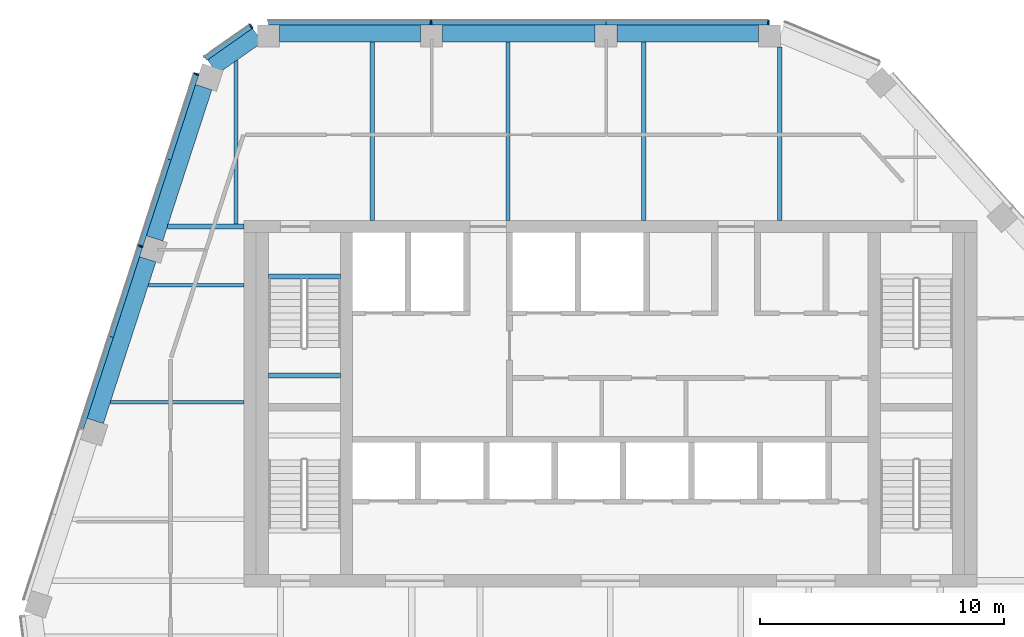
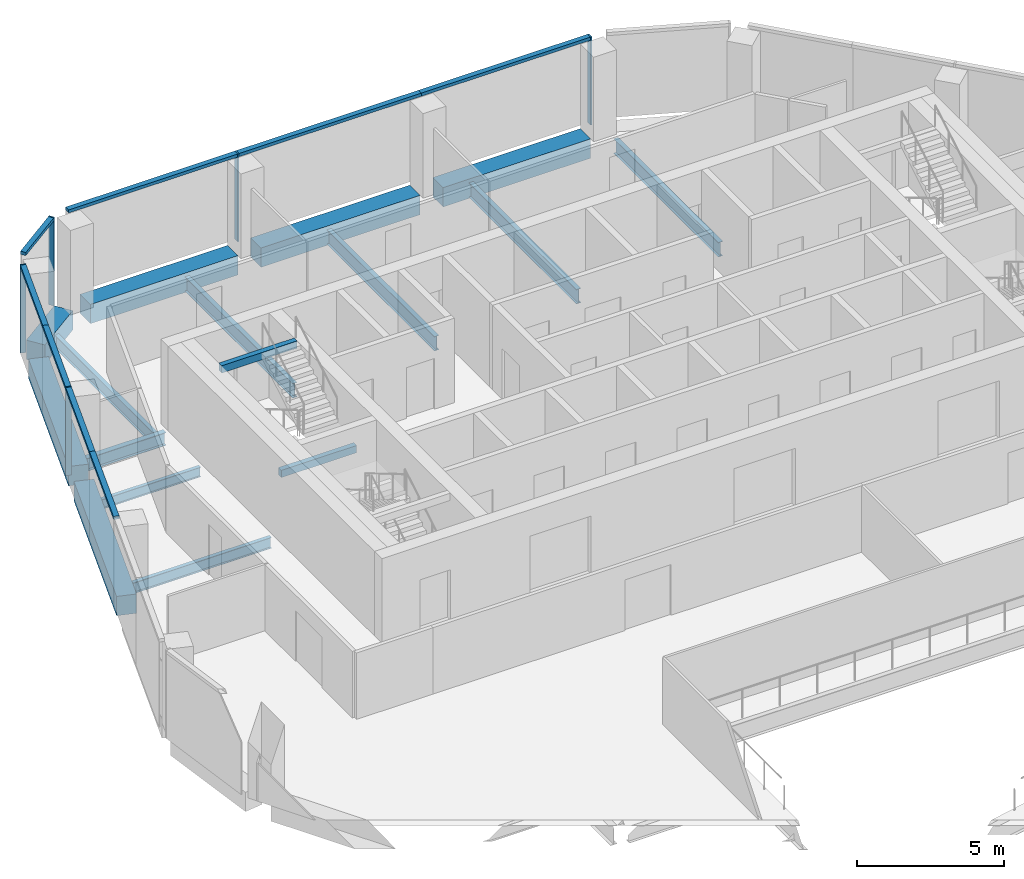
# One storey, part 5 of 15: 16 beams, 13 members, 3 elements without a shape of their own.
"""IFC4 building model written with IfcOpenShell, lengths in metres."""

from ifc_helpers import new_model, si_unit, direction, frame, origin, origin_2d, place, context, subcontext, project, spatial, rectangle, i_section, extrude, material, layer, layer_set, material_profile, profile_set, type_object, element, aggregate, save


model = new_model("IFC4")

# Units and contexts
model_context = context("Model", 3, precision=1e-05, world=origin(), true_north=direction((0.0, 1.0)))
body_context = subcontext(model_context, "Body", "Model", "MODEL_VIEW")
ifc_project = project(units=[si_unit("LENGTHUNIT", "METRE"), si_unit("AREAUNIT", "SQUARE_METRE"), si_unit("VOLUMEUNIT", "CUBIC_METRE"), si_unit("PLANEANGLEUNIT", "RADIAN"), si_unit("MASSUNIT", "GRAM", prefix="KILO")], contexts=[model_context])

# Site, building, storey
site_placement = place(None, origin())
site = spatial("IfcSite", under=ifc_project, at=site_placement, CompositionType="ELEMENT")
building_placement = place(site_placement, origin())
building = spatial("IfcBuilding", under=site, at=building_placement, Name="Isthmus Gate Tower", CompositionType="ELEMENT")
storey_placement = place(building_placement, frame((0.0, 0.0, 282.85009765625)))
storey = spatial("IfcBuildingStorey", under=building, at=storey_placement, Name="L72", CompositionType="ELEMENT", Elevation=282.85009765625)

# Curtain wall, members
ifc_material_1 = material(Name="Aluminium, pale champagne anodised", Category="aluminium")
ifc_layer = layer(ifc_material_1, 0.199951171875)
ifc_layer_set = layer_set([ifc_layer], Name="CW-1 UNITISED CURTAIN WALL 200 DEEP")
curtain_wall_type = type_object("IfcCurtainWallType", Name="CW-1 UNITISED CURTAIN WALL 200 DEEP", PredefinedType="NOTDEFINED", material=ifc_layer_set)
curtain_wall_1_placement = place(storey_placement, origin())
curtain_wall_1 = element("IfcCurtainWall", 1, at=curtain_wall_1_placement, inside=storey, type_object=curtain_wall_type, Name="CW-1 N L72", PredefinedType="NOTDEFINED")
ifc_material_2 = material(Name="Aluminium, pale champagne anodised", Category="aluminium")
ifc_material_profile_1 = material_profile(ifc_material_2, rectangle(XDim=0.06005859375, YDim=0.199951171875, at=origin_2d()), Name="60x200")
ifc_profile_set_1 = profile_set([ifc_material_profile_1], Name="Aluminium, pale champagne anodised")
member_type_1 = type_object("IfcMemberType", Name="CW-1 MULLION 60 X 200", PredefinedType="MULLION", material=ifc_profile_set_1)
member_1_placement = place(storey_placement, frame((6.4794921875, 23.10009765625, 0.0), z_axis=(0.0, 0.0, 1.0), x_axis=(-1.0, 0.0, 0.0)))
member_1 = element("IfcMember", 2, at=member_1_placement, type_object=member_type_1, Name="CW-1 mullion", PredefinedType="MULLION", context=body_context, shape_type="SweptSolid", body=[
    extrude(rectangle(XDim=0.06005859375, YDim=0.199951171875, at=origin_2d()), origin(), (0.0, 0.0, 1.0), 3.64990234375),
])
member_2_placement = place(storey_placement, frame((-7.339599609375, 23.10009765625, 0.0), z_axis=(0.0, 0.0, 1.0), x_axis=(-1.0, 0.0, 0.0)))
member_2 = element("IfcMember", 3, at=member_2_placement, type_object=member_type_1, Name="CW-1 mullion", PredefinedType="MULLION", context=body_context, shape_type="SweptSolid", body=[
    extrude(rectangle(XDim=0.06005859375, YDim=0.199951171875, at=origin_2d()), origin(), (0.0, 0.0, 1.0), 3.64990234375),
])

# Curtain wall, member
curtain_wall_2_placement = place(storey_placement, origin())
curtain_wall_2 = element("IfcCurtainWall", 4, at=curtain_wall_2_placement, inside=storey, type_object=curtain_wall_type, Name="CW-1 N-NW L72", PredefinedType="NOTDEFINED")
member_3_placement = place(storey_placement, frame((-14.69873046875, 22.943115234375, 0.0), z_axis=(0.0, 0.0, 1.0), x_axis=(-0.81785959165, -0.57541783805, 0.0)))
member_3 = element("IfcMember", 5, at=member_3_placement, type_object=member_type_1, Name="CW-1 mullion", PredefinedType="MULLION", context=body_context, shape_type="SweptSolid", body=[
    extrude(rectangle(XDim=0.06005859375, YDim=0.199951171875, at=origin_2d()), origin(), (0.0, 0.0, 1.0), 3.64990234375),
])

# Curtain wall, members
curtain_wall_3_placement = place(storey_placement, origin())
curtain_wall_3 = element("IfcCurtainWall", 6, at=curtain_wall_3_placement, inside=storey, type_object=curtain_wall_type, Name="CW-1 NW L72", PredefinedType="NOTDEFINED")
member_4_placement = place(storey_placement, frame((-16.9404296875, 20.9892578125, 0.0), z_axis=(0.0, 0.0, 1.0), x_axis=(-0.309016994375, -0.951056516295, 0.0)))
member_4 = element("IfcMember", 7, at=member_4_placement, type_object=member_type_1, Name="CW-1 mullion", PredefinedType="MULLION", context=body_context, shape_type="SweptSolid", body=[
    extrude(rectangle(XDim=0.06005859375, YDim=0.199951171875, at=origin_2d()), origin(), (0.0, 0.0, 1.0), 3.64990234375),
])
member_5_placement = place(storey_placement, frame((-19.229248046875, 13.945068359375, 0.0), z_axis=(0.0, 0.0, 1.0), x_axis=(-0.309016994375, -0.951056516295, 0.0)))
member_5 = element("IfcMember", 8, at=member_5_placement, type_object=member_type_1, Name="CW-1 mullion", PredefinedType="MULLION", context=body_context, shape_type="SweptSolid", body=[
    extrude(rectangle(XDim=0.06005859375, YDim=0.199951171875, at=origin_2d()), origin(), (0.0, 0.0, 1.0), 3.64990234375),
])

# Member
ifc_material_3 = material(Name="Aluminium, pale champagne anodised", Category="aluminium")
ifc_material_profile_2 = material_profile(ifc_material_3, rectangle(XDim=0.199951171875, YDim=0.1298828125, at=origin_2d()), Name="200x130")
ifc_profile_set_2 = profile_set([ifc_material_profile_2], Name="Aluminium, pale champagne anodised")
member_type_2 = type_object("IfcMemberType", Name="CW-1 TRANSOM 200 X 130", PredefinedType="USERDEFINED", material=ifc_profile_set_2)
member_6_placement = place(storey_placement, frame((6.449462890625, 23.10009765625, 3.5849609375), z_axis=(-1.0, 0.0, 0.0), x_axis=(0.0, -1.0, 0.0)))
member_6 = element("IfcMember", 9, at=member_6_placement, type_object=member_type_2, Name="CW-1 transom", ObjectType="TRANSOM", PredefinedType="USERDEFINED", context=body_context, shape_type="SweptSolid", body=[
    extrude(rectangle(XDim=0.199951171875, YDim=0.1298828125, at=origin_2d()), origin(), (0.0, 0.0, 1.0), 6.62451171875),
])

member_7_placement = place(storey_placement, frame((-0.175048828125, 23.10009765625, 3.5849609375), z_axis=(-1.0, 0.0, 0.0), x_axis=(0.0, -1.0, 0.0)))
member_7 = element("IfcMember", 10, at=member_7_placement, type_object=member_type_2, Name="CW-1 transom", ObjectType="TRANSOM", PredefinedType="USERDEFINED", context=body_context, shape_type="SweptSolid", body=[
    extrude(rectangle(XDim=0.199951171875, YDim=0.1298828125, at=origin_2d()), origin(), (0.0, 0.0, 1.0), 7.134521484375),
])

member_8_placement = place(storey_placement, frame((-7.36962890625, 23.10009765625, 3.5849609375), z_axis=(-1.0, 0.0, 0.0), x_axis=(0.0, -1.0, 0.0)))
member_8 = element("IfcMember", 11, at=member_8_placement, type_object=member_type_2, Name="CW-1 transom", ObjectType="TRANSOM", PredefinedType="USERDEFINED", context=body_context, shape_type="SweptSolid", body=[
    extrude(rectangle(XDim=0.199951171875, YDim=0.1298828125, at=origin_2d()), origin(), (0.0, 0.0, 1.0), 6.62451171875),
])

aggregate(curtain_wall_1, [member_1, member_6, member_7, member_2, member_8])

member_9_placement = place(storey_placement, frame((-14.723388671875, 22.92578125, 3.5849609375), z_axis=(-0.817868595604, -0.575405040233, 0.0), x_axis=(0.575405040233, -0.817868595604, 0.0)))
member_9 = element("IfcMember", 12, at=member_9_placement, type_object=member_type_2, Name="CW-1 transom", ObjectType="TRANSOM", PredefinedType="USERDEFINED", context=body_context, shape_type="SweptSolid", body=[
    extrude(rectangle(XDim=0.199951171875, YDim=0.1298828125, at=origin_2d()), origin(), (0.0, 0.0, 1.0), 2.258544921875),
])

aggregate(curtain_wall_2, [member_3, member_9])

member_10_placement = place(storey_placement, frame((-16.94970703125, 20.960693359375, 3.5849609375), z_axis=(-0.30904213216, -0.951048348166, 0.0), x_axis=(0.951048348166, -0.30904213216, 0.0)))
member_10 = element("IfcMember", 13, at=member_10_placement, type_object=member_type_2, Name="CW-1 transom", ObjectType="TRANSOM", PredefinedType="USERDEFINED", context=body_context, shape_type="SweptSolid", body=[
    extrude(rectangle(XDim=0.199951171875, YDim=0.1298828125, at=origin_2d()), origin(), (0.0, 0.0, 1.0), 3.6435546875),
])

member_11_placement = place(storey_placement, frame((-18.07568359375, 17.49560546875, 3.5849609375), z_axis=(-0.308999609488, -0.951062164812, 0.0), x_axis=(0.951062164812, -0.308999609488, 0.0)))
member_11 = element("IfcMember", 14, at=member_11_placement, type_object=member_type_2, Name="CW-1 transom", ObjectType="TRANSOM", PredefinedType="USERDEFINED", context=body_context, shape_type="SweptSolid", body=[
    extrude(rectangle(XDim=0.199951171875, YDim=0.1298828125, at=origin_2d()), origin(), (0.0, 0.0, 1.0), 3.703125),
])

member_12_placement = place(storey_placement, frame((-19.238525390625, 13.91650390625, 3.5849609375), z_axis=(-0.309061811928, -0.951041953022, 0.0), x_axis=(0.951041953022, -0.309061811928, 0.0)))
member_12 = element("IfcMember", 15, at=member_12_placement, type_object=member_type_2, Name="CW-1 transom", ObjectType="TRANSOM", PredefinedType="USERDEFINED", context=body_context, shape_type="SweptSolid", body=[
    extrude(rectangle(XDim=0.199951171875, YDim=0.1298828125, at=origin_2d()), origin(), (0.0, 0.0, 1.0), 3.868408203125),
])

member_13_placement = place(storey_placement, frame((-20.43408203125, 10.237548828125, 3.5849609375), z_axis=(-0.308984896154, -0.951066945041, 0.0), x_axis=(0.951066945041, -0.308984896154, 0.0)))
member_13 = element("IfcMember", 16, at=member_13_placement, type_object=member_type_2, Name="CW-1 transom", ObjectType="TRANSOM", PredefinedType="USERDEFINED", context=body_context, shape_type="SweptSolid", body=[
    extrude(rectangle(XDim=0.199951171875, YDim=0.1298828125, at=origin_2d()), origin(), (0.0, 0.0, 1.0), 3.928466796875),
])

aggregate(curtain_wall_3, [member_4, member_10, member_11, member_5, member_12, member_13])

# Beams
ifc_material_4 = material(Name="Concrete f'c 50 MPa", Category="concrete")
ifc_material_profile_3 = material_profile(ifc_material_4, rectangle(XDim=0.699951171875, YDim=0.800048828125, at=origin_2d()), Name="RC 700X800")
ifc_profile_set_3 = profile_set([ifc_material_profile_3], Name="Concrete f'c 50 MPa")
beam_type_1 = type_object("IfcBeamType", Name="RC SPANDREL 700 X 800", PredefinedType="SPANDREL", material=ifc_profile_set_3)
beam_1_placement = place(storey_placement, frame((-21.080810546875, 6.790283203125, -0.400146484375), z_axis=(0.309006716915, 0.951059855583, 0.0), x_axis=(-0.951059855583, 0.309006716915, 0.0)))
element("IfcBeam", 17, at=beam_1_placement, inside=storey, type_object=beam_type_1, Name="str-spandrel-L72-18", PredefinedType="SPANDREL", context=body_context, shape_type="SweptSolid", body=[
    extrude(rectangle(XDim=0.699951171875, YDim=0.800048828125, at=origin_2d()), origin(), (0.0, 0.0, 1.0), 6.956787109375),
])
beam_2_placement = place(storey_placement, frame((-18.653076171875, 14.262451171875, -0.400146484375), z_axis=(0.30901480678, 0.951057227085, 0.0), x_axis=(-0.951057227085, 0.30901480678, 0.0)))
element("IfcBeam", 18, at=beam_2_placement, inside=storey, type_object=beam_type_1, Name="str-spandrel-L72-19", PredefinedType="SPANDREL", context=body_context, shape_type="SweptSolid", body=[
    extrude(rectangle(XDim=0.699951171875, YDim=0.800048828125, at=origin_2d()), origin(), (0.0, 0.0, 1.0), 6.5068359375),
])
beam_3_placement = place(storey_placement, frame((-16.281005859375, 21.27978515625, -0.400146484375), z_axis=(0.817891678431, 0.57537222939, 0.0), x_axis=(-0.57537222939, 0.817891678431, 0.0)))
element("IfcBeam", 19, at=beam_3_placement, inside=storey, type_object=beam_type_1, Name="str-spandrel-L72-20", PredefinedType="SPANDREL", context=body_context, shape_type="SweptSolid", body=[
    extrude(rectangle(XDim=0.699951171875, YDim=0.800048828125, at=origin_2d()), origin(), (0.0, 0.0, 1.0), 2.245849609375),
])
beam_4_placement = place(storey_placement, frame((-13.544189453125, 22.64990234375, -0.400146484375), z_axis=(1.0, 0.0, 0.0), x_axis=(0.0, 1.0, 0.0)))
element("IfcBeam", 20, at=beam_4_placement, inside=storey, type_object=beam_type_1, Name="str-spandrel-L72-21", PredefinedType="SPANDREL", context=body_context, shape_type="SweptSolid", body=[
    extrude(rectangle(XDim=0.699951171875, YDim=0.800048828125, at=origin_2d()), origin(), (0.0, 0.0, 1.0), 5.78466796875),
])
beam_5_placement = place(storey_placement, frame((-6.859619140625, 22.64990234375, -0.400146484375), z_axis=(1.0, 0.0, 0.0), x_axis=(0.0, 1.0, 0.0)))
element("IfcBeam", 21, at=beam_5_placement, inside=storey, type_object=beam_type_1, Name="str-spandrel-L72-22", PredefinedType="SPANDREL", context=body_context, shape_type="SweptSolid", body=[
    extrude(rectangle(XDim=0.699951171875, YDim=0.800048828125, at=origin_2d()), origin(), (0.0, 0.0, 1.0), 6.234619140625),
])
beam_6_placement = place(storey_placement, frame((0.27490234375, 22.64990234375, -0.400146484375), z_axis=(1.0, 0.0, 0.0), x_axis=(0.0, 1.0, 0.0)))
element("IfcBeam", 22, at=beam_6_placement, inside=storey, type_object=beam_type_1, Name="str-spandrel-L72-23", PredefinedType="SPANDREL", context=body_context, shape_type="SweptSolid", body=[
    extrude(rectangle(XDim=0.699951171875, YDim=0.800048828125, at=origin_2d()), origin(), (0.0, 0.0, 1.0), 5.784423828125),
])
ifc_material_5 = material(Name="Concrete f'c 40 MPa", Category="concrete")
ifc_material_profile_4 = material_profile(ifc_material_5, rectangle(XDim=0.199951171875, YDim=0.300048828125, at=origin_2d()), Name="STAIR LANDING BEAM RC 200 X 300")
ifc_profile_set_4 = profile_set([ifc_material_profile_4], Name="Concrete f'c 40 MPa")
beam_type_2 = type_object("IfcBeamType", Name="STAIR LANDING BEAM RC 200 X 300", PredefinedType="BEAM", material=ifc_profile_set_4)
for number, where, z_axis, x_axis, name in (
    (23, (-14.0, 8.64990234375, 1.474853515625), (1.0, 0.0, 0.0), (0.0, 1.0, 0.0), "L72 ST1 landing beam 1"),
    (24, (-14.0, 12.7001953125, 3.349853515625), (1.0, 0.0, 0.0), (0.0, 1.0, 0.0), "L72 ST1 floor-edge seat beam"),
):
    element("IfcBeam", number, at=place(storey_placement, frame(where, z_axis=z_axis, x_axis=x_axis)), inside=storey, type_object=beam_type_2, Name=name, PredefinedType="BEAM", context=body_context, shape_type="SweptSolid", body=[
        extrude(rectangle(XDim=0.199951171875, YDim=0.300048828125, at=origin_2d()), origin(), (0.0, 0.0, 1.0), 2.949951171875),
    ])
ifc_material_6 = material(Name="Structural steel ASTM A992 Gr 50", Category="steel")
ifc_material_profile_5 = material_profile(ifc_material_6, i_section(OverallWidth=0.1396484375, OverallDepth=0.4033203125, WebThickness=0.00634765625, FlangeThickness=0.010986328125, at=origin_2d()), Name="W16X31")
ifc_profile_set_5 = profile_set([ifc_material_profile_5], Name="Structural steel ASTM A992 Gr 50")
beam_type_3 = type_object("IfcBeamType", Name="STEEL FLOOR BEAM W16X31", PredefinedType="JOIST", material=ifc_profile_set_5)
beam_7_placement = place(storey_placement, frame((-18.905517578125, 12.352294921875, -0.351806640625), z_axis=(1.0, 0.0, 0.0), x_axis=(0.0, 1.0, 0.0)))
element("IfcBeam", 25, at=beam_7_placement, inside=storey, type_object=beam_type_3, Name="str-beam-L72-00-02", PredefinedType="JOIST", context=body_context, shape_type="SweptSolid", body=[
    extrude(i_section(OverallWidth=0.1396484375, OverallDepth=0.4033203125, WebThickness=0.00634765625, FlangeThickness=0.010986328125, at=origin_2d()), origin(), (0.0, 0.0, 1.0), 3.905517578125),
])
ifc_material_7 = material(Name="Structural steel ASTM A992 Gr 50", Category="steel")
ifc_material_profile_6 = material_profile(ifc_material_7, i_section(OverallWidth=0.15234375, OverallDepth=0.45068359375, WebThickness=0.0078125, FlangeThickness=0.010986328125, at=origin_2d()), Name="W18X35")
ifc_profile_set_6 = profile_set([ifc_material_profile_6], Name="Structural steel ASTM A992 Gr 50")
beam_type_4 = type_object("IfcBeamType", Name="STEEL FLOOR BEAM W18X35", PredefinedType="JOIST", material=ifc_profile_set_6)
beam_8_placement = place(storey_placement, frame((-20.463623046875, 7.55712890625, -0.37548828125), z_axis=(1.0, 0.0, 0.0), x_axis=(0.0, 1.0, 0.0)))
element("IfcBeam", 26, at=beam_8_placement, inside=storey, type_object=beam_type_4, Name="str-beam-L72-00-01", PredefinedType="JOIST", context=body_context, shape_type="SweptSolid", body=[
    extrude(i_section(OverallWidth=0.15234375, OverallDepth=0.45068359375, WebThickness=0.0078125, FlangeThickness=0.010986328125, at=origin_2d()), origin(), (0.0, 0.0, 1.0), 5.463623046875),
])
ifc_material_8 = material(Name="Structural steel ASTM A992 Gr 50", Category="steel")
ifc_material_profile_7 = material_profile(ifc_material_8, i_section(OverallWidth=0.1650390625, OverallDepth=0.52392578125, WebThickness=0.009521484375, FlangeThickness=0.010986328125, at=origin_2d()), Name="W21X44")
ifc_profile_set_7 = profile_set([ifc_material_profile_7], Name="Structural steel ASTM A992 Gr 50")
beam_type_5 = type_object("IfcBeamType", Name="STEEL FLOOR BEAM W21X44", PredefinedType="JOIST", material=ifc_profile_set_7)
beam_9_placement = place(storey_placement, frame((-15.311767578125, 14.854736328125, -0.412109375), z_axis=(0.0, 1.0, 0.0), x_axis=(-1.0, 0.0, 0.0)))
element("IfcBeam", 27, at=beam_9_placement, inside=storey, type_object=beam_type_5, Name="str-beam-L72-07-00", PredefinedType="JOIST", context=body_context, shape_type="SweptSolid", body=[
    extrude(i_section(OverallWidth=0.1650390625, OverallDepth=0.52392578125, WebThickness=0.009521484375, FlangeThickness=0.010986328125, at=origin_2d()), origin(), (0.0, 0.0, 1.0), 6.678955078125),
])
ifc_material_9 = material(Name="Structural steel ASTM A992 Gr 50", Category="steel")
ifc_material_profile_8 = material_profile(ifc_material_9, i_section(OverallWidth=0.177734375, OverallDepth=0.60009765625, WebThickness=0.009521484375, FlangeThickness=0.0126953125, at=origin_2d()), Name="W24X55")
ifc_profile_set_8 = profile_set([ifc_material_profile_8], Name="Structural steel ASTM A992 Gr 50")
beam_type_6 = type_object("IfcBeamType", Name="STEEL FLOOR BEAM W24X55", PredefinedType="JOIST", material=ifc_profile_set_8)
for number, where, z_axis, x_axis, name in (
    (28, (-9.750244140625, 15.0, -0.4501953125), (0.0, 1.0, 0.0), (-1.0, 0.0, 0.0), "str-beam-L72-07-01"),
    (29, (-4.188720703125, 15.0, -0.4501953125), (0.0, 1.0, 0.0), (-1.0, 0.0, 0.0), "str-beam-L72-07-02"),
    (30, (1.372802734375, 15.0, -0.4501953125), (0.0, 1.0, 0.0), (-1.0, 0.0, 0.0), "str-beam-L72-07-03"),
):
    element("IfcBeam", number, at=place(storey_placement, frame(where, z_axis=z_axis, x_axis=x_axis)), inside=storey, type_object=beam_type_6, Name=name, PredefinedType="JOIST", context=body_context, shape_type="SweptSolid", body=[
        extrude(i_section(OverallWidth=0.177734375, OverallDepth=0.60009765625, WebThickness=0.009521484375, FlangeThickness=0.0126953125, at=origin_2d()), origin(), (0.0, 0.0, 1.0), 7.300048828125),
    ])
beam_10_placement = place(storey_placement, frame((6.93408203125, 15.0, -0.4501953125), z_axis=(0.0, 1.0, 0.0), x_axis=(-1.0, 0.0, 0.0)))
element("IfcBeam", 31, at=beam_10_placement, inside=storey, type_object=beam_type_6, Name="str-beam-L72-07-04", PredefinedType="JOIST", context=body_context, shape_type="SweptSolid", body=[
    extrude(i_section(OverallWidth=0.177734375, OverallDepth=0.60009765625, WebThickness=0.009521484375, FlangeThickness=0.0126953125, at=origin_2d()), origin(), (0.0, 0.0, 1.0), 7.10009765625),
])
ifc_material_10 = material(Name="Structural steel ASTM A992 Gr 50", Category="steel")
ifc_material_profile_9 = material_profile(ifc_material_10, i_section(OverallWidth=0.20947265625, OverallDepth=0.533447265625, WebThickness=0.009521484375, FlangeThickness=0.015869140625, at=origin_2d()), Name="W21X62")
ifc_profile_set_9 = profile_set([ifc_material_profile_9], Name="Structural steel ASTM A992 Gr 50")
beam_type_7 = type_object("IfcBeamType", Name="STEEL GIRDER W21X62", PredefinedType="BEAM", material=ifc_profile_set_9)
beam_11_placement = place(storey_placement, frame((-15.0, 14.75, -0.416748046875), z_axis=(-1.0, 0.0, 0.0), x_axis=(0.0, -1.0, 0.0)))
element("IfcBeam", 32, at=beam_11_placement, inside=storey, type_object=beam_type_7, Name="str-girder-L72-11", PredefinedType="BEAM", context=body_context, shape_type="SweptSolid", body=[
    extrude(i_section(OverallWidth=0.20947265625, OverallDepth=0.533447265625, WebThickness=0.009521484375, FlangeThickness=0.015869140625, at=origin_2d()), origin(), (0.0, 0.0, 1.0), 3.12646484375),
])

save(model, "model.ifc")
